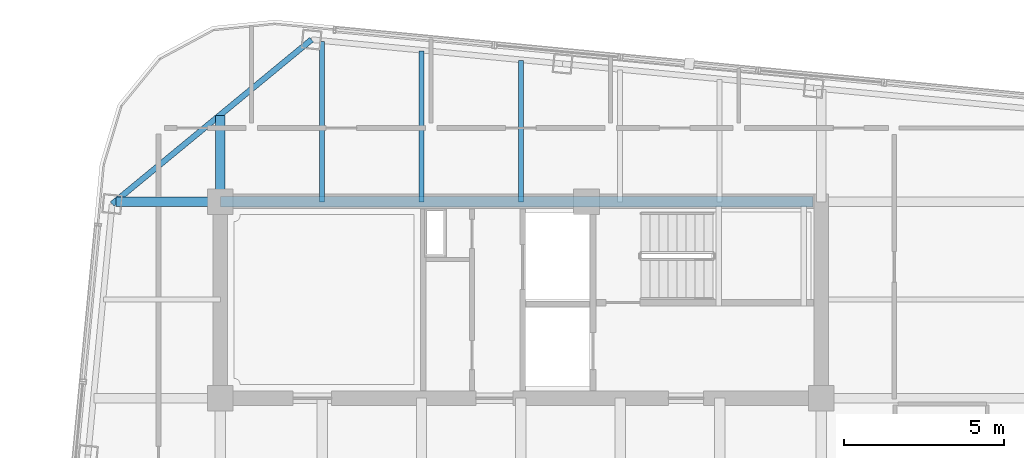
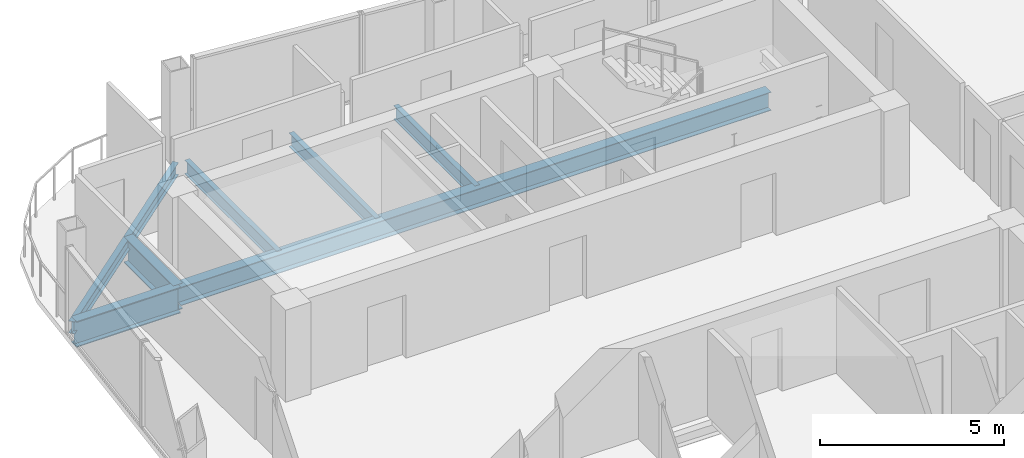
# One storey, part 13 of 22: 7 beams.
"""IFC4 building model written with IfcOpenShell, lengths in metres."""

from ifc_helpers import new_model, si_unit, direction, frame, origin, origin_2d, place, context, subcontext, project, spatial, i_section, extrude, material, material_profile, profile_set, type_object, element, save


model = new_model("IFC4")

# Units and contexts
model_context = context("Model", 3, precision=1e-05, world=origin(), true_north=direction((0.0, 1.0)))
body_context = subcontext(model_context, "Body", "Model", "MODEL_VIEW")
ifc_project = project(units=[si_unit("LENGTHUNIT", "METRE"), si_unit("AREAUNIT", "SQUARE_METRE"), si_unit("VOLUMEUNIT", "CUBIC_METRE"), si_unit("PLANEANGLEUNIT", "RADIAN"), si_unit("MASSUNIT", "GRAM", prefix="KILO")], contexts=[model_context])

# Site, building, storey
site_placement = place(None, origin())
site = spatial("IfcSite", under=ifc_project, at=site_placement, CompositionType="ELEMENT")
building_placement = place(site_placement, origin())
building = spatial("IfcBuilding", under=site, at=building_placement, Name="Qhalaya Broadcast Tower", CompositionType="ELEMENT")
storey_placement = place(building_placement, frame((0.0, 0.0, 252.0)))
storey = spatial("IfcBuildingStorey", under=building, at=storey_placement, Name="L74", CompositionType="ELEMENT", Elevation=252.0)

# Beams
ifc_material = material(Name="Structural Steel ASTM A992 Grade 50", Category="steel")
ifc_material_profile_1 = material_profile(ifc_material, i_section(OverallWidth=0.154052734375, OverallDepth=0.458984375, WebThickness=0.009033203125, FlangeThickness=0.015380859375, at=origin_2d()), Name="W18X46")
ifc_profile_set_1 = profile_set([ifc_material_profile_1], Name="Structural Steel ASTM A992 Grade 50")
beam_type_1 = type_object("IfcBeamType", Name="Composite Floor Joist J04", PredefinedType="JOIST", material=ifc_profile_set_1)
beam_1_placement = place(storey_placement, frame((-6.199951171875, 9.949951171875, -0.41943359375), z_axis=(0.0, 1.0, 0.0), x_axis=(-1.0, 0.0, 0.0)))
element("IfcBeam", 1, at=beam_1_placement, inside=storey, type_object=beam_type_1, Name="L74 J04 L74-JNN1-1", PredefinedType="JOIST", context=body_context, shape_type="SweptSolid", body=[
    extrude(i_section(OverallWidth=0.154052734375, OverallDepth=0.458984375, WebThickness=0.009033203125, FlangeThickness=0.015380859375, at=origin_2d()), origin(), (0.0, 0.0, 1.0), 5.0087890625),
])
beam_2_placement = place(storey_placement, frame((-3.10009765625, 9.949951171875, -0.41943359375), z_axis=(0.0, 1.0, 0.0), x_axis=(-1.0, 0.0, 0.0)))
element("IfcBeam", 2, at=beam_2_placement, inside=storey, type_object=beam_type_1, Name="L74 J04 L74-JNN2-1", PredefinedType="JOIST", context=body_context, shape_type="SweptSolid", body=[
    extrude(i_section(OverallWidth=0.154052734375, OverallDepth=0.458984375, WebThickness=0.009033203125, FlangeThickness=0.015380859375, at=origin_2d()), origin(), (0.0, 0.0, 1.0), 4.710205078125),
])
beam_3_placement = place(storey_placement, frame((0.0, 9.949951171875, -0.41943359375), z_axis=(0.0, 1.0, 0.0), x_axis=(-1.0, 0.0, 0.0)))
element("IfcBeam", 3, at=beam_3_placement, inside=storey, type_object=beam_type_1, Name="L74 J04 L74-JNN3-1", PredefinedType="JOIST", context=body_context, shape_type="SweptSolid", body=[
    extrude(i_section(OverallWidth=0.154052734375, OverallDepth=0.458984375, WebThickness=0.009033203125, FlangeThickness=0.015380859375, at=origin_2d()), origin(), (0.0, 0.0, 1.0), 4.411865234375),
])
ifc_material_profile_2 = material_profile(ifc_material, i_section(OverallWidth=0.323974609375, OverallDepth=0.612060546875, WebThickness=0.0126953125, FlangeThickness=0.01904296875, at=origin_2d()), Name="W24X104")
ifc_profile_set_2 = profile_set([ifc_material_profile_2], Name="Structural Steel ASTM A992 Grade 50")
beam_type_2 = type_object("IfcBeamType", Name="Core Frame Tie Beam B04", PredefinedType="BEAM", material=ifc_profile_set_2)
beam_4_placement = place(storey_placement, frame((-9.375, 9.949951171875, -0.49609375), z_axis=(1.0, 0.0, 0.0), x_axis=(0.0, 1.0, 0.0)))
element("IfcBeam", 4, at=beam_4_placement, inside=storey, type_object=beam_type_2, Name="L74 B04 L74-CCN3", PredefinedType="BEAM", context=body_context, shape_type="SweptSolid", body=[
    extrude(i_section(OverallWidth=0.323974609375, OverallDepth=0.612060546875, WebThickness=0.0126953125, FlangeThickness=0.01904296875, at=origin_2d()), origin(), (0.0, 0.0, 1.0), 18.4951171875),
])
ifc_material_profile_3 = material_profile(ifc_material, i_section(OverallWidth=0.2919921875, OverallDepth=0.85888671875, WebThickness=0.01708984375, FlangeThickness=0.031005859375, at=origin_2d()), Name="W33X169")
ifc_profile_set_3 = profile_set([ifc_material_profile_3], Name="Structural Steel ASTM A992 Grade 50")
beam_type_3 = type_object("IfcBeamType", Name="Upper Block Primary Girder PG4", PredefinedType="USERDEFINED", material=ifc_profile_set_3)
beam_5_placement = place(storey_placement, frame((-9.375, 9.949951171875, -0.619384765625), z_axis=(0.0, 1.0, 0.0), x_axis=(-1.0, 0.0, 0.0)))
element("IfcBeam", 5, at=beam_5_placement, inside=storey, type_object=beam_type_3, Name="L74 PG4 L74-PGXN1-1", ObjectType="GIRDER", PredefinedType="USERDEFINED", context=body_context, shape_type="SweptSolid", body=[
    extrude(i_section(OverallWidth=0.2919921875, OverallDepth=0.85888671875, WebThickness=0.01708984375, FlangeThickness=0.031005859375, at=origin_2d()), origin(), (0.0, 0.0, 1.0), 2.68798828125),
])
beam_6_placement = place(storey_placement, frame((-12.6357421875, 9.949951171875, -0.619384765625), z_axis=(1.0, 0.0, 0.0), x_axis=(0.0, 1.0, 0.0)))
element("IfcBeam", 6, at=beam_6_placement, inside=storey, type_object=beam_type_3, Name="L74 PG4 L74-PGYW4-1", ObjectType="GIRDER", PredefinedType="USERDEFINED", context=body_context, shape_type="SweptSolid", body=[
    extrude(i_section(OverallWidth=0.2919921875, OverallDepth=0.85888671875, WebThickness=0.01708984375, FlangeThickness=0.031005859375, at=origin_2d()), origin(), (0.0, 0.0, 1.0), 3.2607421875),
])
ifc_material_profile_4 = material_profile(ifc_material, i_section(OverallWidth=0.177978515625, OverallDepth=0.406005859375, WebThickness=0.0078125, FlangeThickness=0.0126953125, at=origin_2d()), Name="W16X40")
ifc_profile_set_4 = profile_set([ifc_material_profile_4], Name="Structural Steel ASTM A992 Grade 50")
beam_type_4 = type_object("IfcBeamType", Name="Upper Perimeter Spandrel Beam SP2", PredefinedType="SPANDREL", material=ifc_profile_set_4)
beam_7_placement = place(storey_placement, frame((-6.5283203125, 15.010498046875, -0.39306640625), z_axis=(-0.771631160126, -0.636070241972, 0.0), x_axis=(0.636070241972, -0.771631160126, 0.0)))
element("IfcBeam", 7, at=beam_7_placement, inside=storey, type_object=beam_type_4, Name="L74 SP2 L74-SPR-12", PredefinedType="SPANDREL", context=body_context, shape_type="SweptSolid", body=[
    extrude(i_section(OverallWidth=0.177978515625, OverallDepth=0.406005859375, WebThickness=0.0078125, FlangeThickness=0.0126953125, at=origin_2d()), origin(), (0.0, 0.0, 1.0), 8.06103515625),
])

save(model, "model.ifc")
